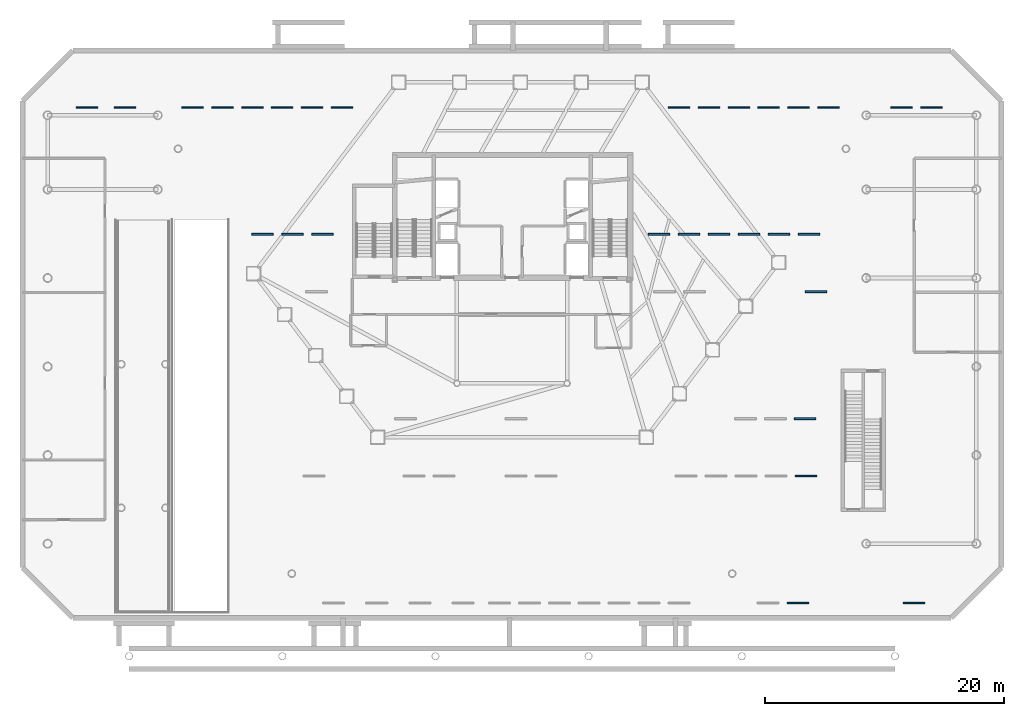
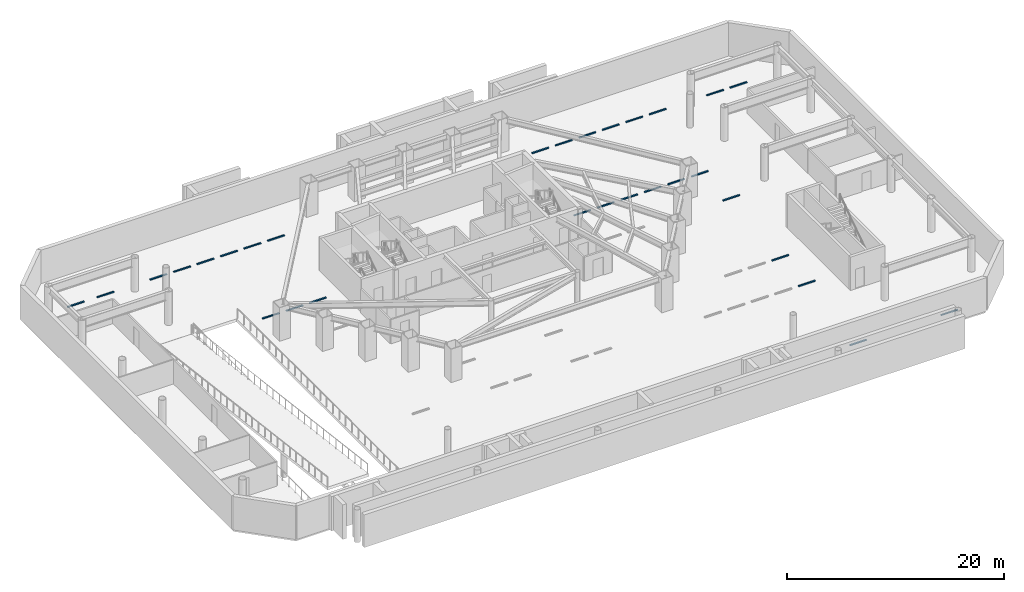
# One storey, part 12 of 15: 30 discrete accessories.
"""IFC4 building model written with IfcOpenShell, lengths in metres."""

from ifc_helpers import new_model, si_unit, direction, frame, origin, origin_2d, place, context, subcontext, project, spatial, rectangle, extrude, material, type_object, element, save


model = new_model("IFC4")

# Units and contexts
model_context = context("Model", 3, precision=1e-05, world=origin(), true_north=direction((0.0, 1.0)))
body_context = subcontext(model_context, "Body", "Model", "MODEL_VIEW")
ifc_project = project(units=[si_unit("LENGTHUNIT", "METRE"), si_unit("AREAUNIT", "SQUARE_METRE"), si_unit("VOLUMEUNIT", "CUBIC_METRE"), si_unit("PLANEANGLEUNIT", "RADIAN"), si_unit("MASSUNIT", "GRAM", prefix="KILO")], contexts=[model_context])

# Site, building, storey
site_placement = place(None, origin())
site = spatial("IfcSite", under=ifc_project, at=site_placement, CompositionType="ELEMENT")
building_placement = place(site_placement, origin())
building = spatial("IfcBuilding", under=site, at=building_placement, Name="Zarrinselat Tower", CompositionType="ELEMENT")
storey_placement = place(building_placement, frame((0.0, 0.0, -4.080078125)))
storey = spatial("IfcBuildingStorey", under=building, at=storey_placement, Name="B01", CompositionType="ELEMENT", Elevation=-4.080078125)

# Discrete accessories
ifc_material = material(Name="Precast concrete C40/50", Category="concrete")
discrete_accessory_type = type_object("IfcDiscreteAccessoryType", Name="ACC-WHEEL-STOP", PredefinedType="USERDEFINED", material=ifc_material)
for number, where, z_axis, x_axis, name in (
    (1, (62.300048828125, 6.050048828125, 0.0), (0.0, 0.0, 1.0), (1.0, 0.0, 0.0), "B01 Car Parking Bay 009 Wheel Stop"),
    (2, (72.0, 6.050048828125, 0.0), (0.0, 0.0, 1.0), (1.0, 0.0, 0.0), "B01 Car Parking Bay 010 Wheel Stop"),
    (3, (6.050048828125, 47.449951171875, 0.0), (0.0, 0.0, 1.0), (1.0, 0.0, 0.0), "B01 Car Parking Bay 011 Wheel Stop"),
    (4, (11.699951171875, 47.449951171875, 0.0), (0.0, 0.0, 1.0), (1.0, 0.0, 0.0), "B01 Car Parking Bay 012 Wheel Stop"),
    (5, (14.199951171875, 47.449951171875, 0.0), (0.0, 0.0, 1.0), (1.0, 0.0, 0.0), "B01 Car Parking Bay 013 Wheel Stop"),
    (6, (16.699951171875, 47.449951171875, 0.0), (0.0, 0.0, 1.0), (1.0, 0.0, 0.0), "B01 Car Parking Bay 014 Wheel Stop"),
    (7, (19.199951171875, 47.449951171875, 0.0), (0.0, 0.0, 1.0), (1.0, 0.0, 0.0), "B01 Car Parking Bay 015 Wheel Stop"),
    (8, (21.699951171875, 47.449951171875, 0.0), (0.0, 0.0, 1.0), (1.0, 0.0, 0.0), "B01 Car Parking Bay 016 Wheel Stop"),
    (9, (24.199951171875, 47.449951171875, 0.0), (0.0, 0.0, 1.0), (1.0, 0.0, 0.0), "B01 Car Parking Bay 017 Wheel Stop"),
    (10, (52.35009765625, 47.449951171875, 0.0), (0.0, 0.0, 1.0), (1.0, 0.0, 0.0), "B01 Car Parking Bay 018 Wheel Stop"),
    (11, (54.85009765625, 47.449951171875, 0.0), (0.0, 0.0, 1.0), (1.0, 0.0, 0.0), "B01 Car Parking Bay 019 Wheel Stop"),
    (12, (57.35009765625, 47.449951171875, 0.0), (0.0, 0.0, 1.0), (1.0, 0.0, 0.0), "B01 Car Parking Bay 020 Wheel Stop"),
    (13, (59.85009765625, 47.449951171875, 0.0), (0.0, 0.0, 1.0), (1.0, 0.0, 0.0), "B01 Car Parking Bay 021 Wheel Stop"),
    (14, (62.35009765625, 47.449951171875, 0.0), (0.0, 0.0, 1.0), (1.0, 0.0, 0.0), "B01 Car Parking Bay 022 Wheel Stop"),
    (15, (64.85009765625, 47.449951171875, 0.0), (0.0, 0.0, 1.0), (1.0, 0.0, 0.0), "B01 Car Parking Bay 023 Wheel Stop"),
    (16, (70.949951171875, 47.449951171875, 0.0), (0.0, 0.0, 1.0), (1.0, 0.0, 0.0), "B01 Car Parking Bay 024 Wheel Stop"),
    (17, (73.449951171875, 47.449951171875, 0.0), (0.0, 0.0, 1.0), (1.0, 0.0, 0.0), "B01 Car Parking Bay 025 Wheel Stop"),
    (18, (62.949951171875, 16.64990234375, 0.0), (0.0, 0.0, 1.0), (1.0, 0.0, 0.0), "B01 Car Parking Bay 034 Wheel Stop"),
    (19, (62.89990234375, 21.449951171875, 0.0), (0.0, 0.0, 1.0), (1.0, 0.0, 0.0), "B01 Car Parking Bay 037 Wheel Stop"),
    (20, (50.699951171875, 36.85009765625, 0.0), (0.0, 0.0, 1.0), (1.0, 0.0, 0.0), "B01 Car Parking Bay 038 Wheel Stop"),
    (21, (53.199951171875, 36.85009765625, 0.0), (0.0, 0.0, 1.0), (1.0, 0.0, 0.0), "B01 Car Parking Bay 039 Wheel Stop"),
    (22, (55.699951171875, 36.85009765625, 0.0), (0.0, 0.0, 1.0), (1.0, 0.0, 0.0), "B01 Car Parking Bay 040 Wheel Stop"),
    (23, (58.199951171875, 36.85009765625, 0.0), (0.0, 0.0, 1.0), (1.0, 0.0, 0.0), "B01 Car Parking Bay 041 Wheel Stop"),
    (24, (60.699951171875, 36.85009765625, 0.0), (0.0, 0.0, 1.0), (1.0, 0.0, 0.0), "B01 Car Parking Bay 042 Wheel Stop"),
    (25, (63.199951171875, 36.85009765625, 0.0), (0.0, 0.0, 1.0), (1.0, 0.0, 0.0), "B01 Car Parking Bay 043 Wheel Stop"),
    (26, (63.800048828125, 32.050048828125, 0.0), (0.0, 0.0, 1.0), (1.0, 0.0, 0.0), "B01 Car Parking Bay 046 Wheel Stop"),
    (27, (17.550048828125, 36.85009765625, 0.0), (0.0, 0.0, 1.0), (1.0, 0.0, 0.0), "B01 Car Parking Bay 047 Wheel Stop"),
    (28, (20.050048828125, 36.85009765625, 0.0), (0.0, 0.0, 1.0), (1.0, 0.0, 0.0), "B01 Car Parking Bay 048 Wheel Stop"),
    (29, (22.550048828125, 36.85009765625, 0.0), (0.0, 0.0, 1.0), (1.0, 0.0, 0.0), "B01 Car Parking Bay 049 Wheel Stop"),
    (30, (2.89990234375, 47.449951171875, 0.0), (0.0, 0.0, 1.0), (1.0, 0.0, 0.0), "B01 Car Parking Bay 051 Wheel Stop"),
):
    element("IfcDiscreteAccessory", number, at=place(storey_placement, frame(where, z_axis=z_axis, x_axis=x_axis)), inside=storey, type_object=discrete_accessory_type, Name=name, ObjectType="WHEEL_STOP", PredefinedType="USERDEFINED", context=body_context, shape_type="SweptSolid", body=[
        extrude(rectangle(XDim=1.800048828125, YDim=0.14990234375, at=origin_2d()), origin(), (0.0, 0.0, 1.0), 0.1201171875),
    ])

save(model, "model.ifc")
